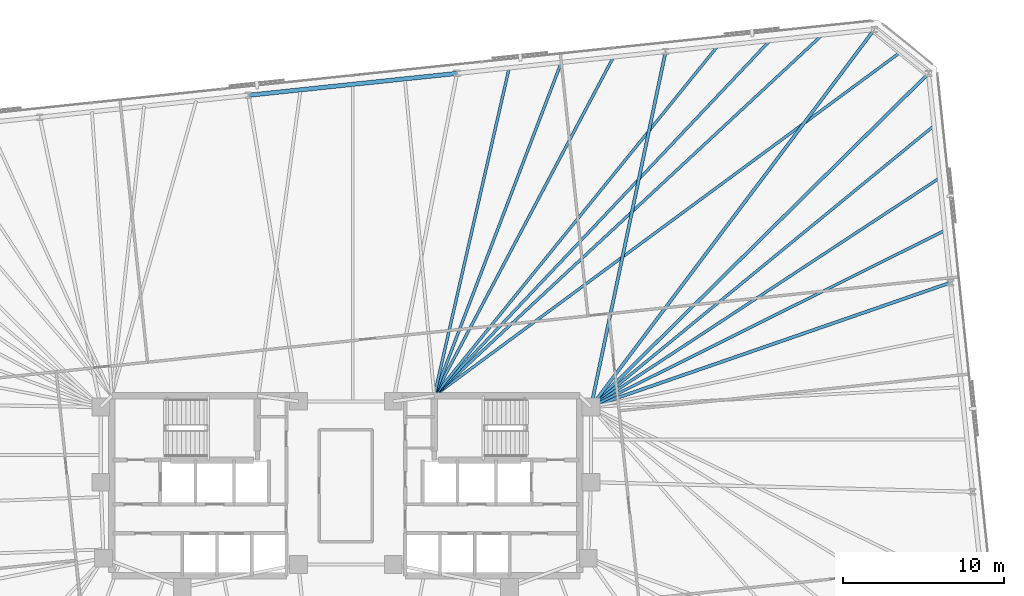
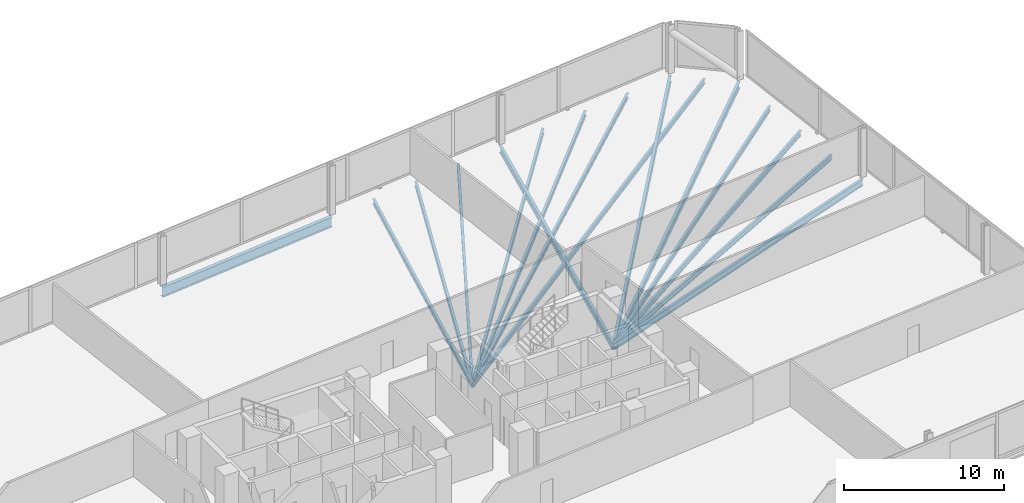
# One storey, part 10 of 18: 15 beams.
"""IFC4 building model written with IfcOpenShell, lengths in metres."""

from ifc_helpers import new_model, si_unit, direction, frame, origin, origin_2d, place, context, subcontext, project, spatial, i_section, extrude, material, material_profile, profile_set, type_object, element, save


model = new_model("IFC4")

# Units and contexts
model_context = context("Model", 3, precision=1e-05, world=origin(), true_north=direction((0.0, 1.0)))
body_context = subcontext(model_context, "Body", "Model", "MODEL_VIEW")
ifc_project = project(units=[si_unit("LENGTHUNIT", "METRE"), si_unit("AREAUNIT", "SQUARE_METRE"), si_unit("VOLUMEUNIT", "CUBIC_METRE"), si_unit("PLANEANGLEUNIT", "RADIAN"), si_unit("MASSUNIT", "GRAM", prefix="KILO")], contexts=[model_context])

# Site, building, storey
site_placement = place(None, origin())
site = spatial("IfcSite", under=ifc_project, at=site_placement, CompositionType="ELEMENT")
building_placement = place(site_placement, origin())
building = spatial("IfcBuilding", under=site, at=building_placement, Name="Menara Jurai Vektor", CompositionType="ELEMENT")
storey_placement = place(building_placement, frame((0.0, 0.0, 91.10009765625)))
storey = spatial("IfcBuildingStorey", under=building, at=storey_placement, Name="L22", CompositionType="ELEMENT", Elevation=91.10009765625)

# Beams
ifc_material_1 = material(Name="Steel S355", Category="steel")
ifc_material_profile_1 = material_profile(ifc_material_1, i_section(OverallWidth=0.199951171875, OverallDepth=0.5, WebThickness=0.011962890625, FlangeThickness=0.02001953125, at=origin_2d()), Name="PG 500x200x96")
ifc_profile_set_1 = profile_set([ifc_material_profile_1], Name="Steel S355")
beam_type_1 = type_object("IfcBeamType", Name="STR-BM-500", PredefinedType="BEAM", material=ifc_profile_set_1)
beam_1_placement = place(storey_placement, frame((37.62060546875, 12.638427734375, -0.47509765625), z_axis=(-0.945053249867, -0.326916434148, 0.0), x_axis=(0.326916434148, -0.945053249867, 0.0)))
element("IfcBeam", 1, at=beam_1_placement, inside=storey, type_object=beam_type_1, Name="Radial Floor Girder L22-E3", PredefinedType="BEAM", context=body_context, shape_type="SweptSolid", body=[
    extrude(i_section(OverallWidth=0.199951171875, OverallDepth=0.5, WebThickness=0.011962890625, FlangeThickness=0.02001953125, at=origin_2d()), origin(), (0.0, 0.0, 1.0), 23.671142578125),
])
beam_2_placement = place(storey_placement, frame((36.252685546875, 25.652099609375, -0.47509765625), z_axis=(-0.711335927547, -0.702852188004, 0.0), x_axis=(0.702852188004, -0.711335927547, 0.0)))
element("IfcBeam", 2, at=beam_2_placement, inside=storey, type_object=beam_type_1, Name="Radial Floor Girder L22-E4", PredefinedType="BEAM", context=body_context, shape_type="SweptSolid", body=[
    extrude(i_section(OverallWidth=0.199951171875, OverallDepth=0.5, WebThickness=0.011962890625, FlangeThickness=0.02001953125, at=origin_2d()), origin(), (0.0, 0.0, 1.0), 29.525634765625),
])
beam_3_placement = place(storey_placement, frame((32.876220703125, 28.38623046875, -0.47509765625), z_axis=(-0.600250057552, -0.799812395758, 0.0), x_axis=(0.799812395758, -0.600250057552, 0.0)))
element("IfcBeam", 3, at=beam_3_placement, inside=storey, type_object=beam_type_1, Name="Radial Floor Girder L22-N1", PredefinedType="BEAM", context=body_context, shape_type="SweptSolid", body=[
    extrude(i_section(OverallWidth=0.199951171875, OverallDepth=0.5, WebThickness=0.011962890625, FlangeThickness=0.02001953125, at=origin_2d()), origin(), (0.0, 0.0, 1.0), 29.36474609375),
])
beam_4_placement = place(storey_placement, frame((19.896728515625, 27.02197265625, -0.47509765625), z_axis=(-0.205563576063, -0.978643763683, 0.0), x_axis=(0.978643763683, -0.205563576063, 0.0)))
element("IfcBeam", 4, at=beam_4_placement, inside=storey, type_object=beam_type_1, Name="Radial Floor Girder L22-N2", PredefinedType="BEAM", context=body_context, shape_type="SweptSolid", body=[
    extrude(i_section(OverallWidth=0.199951171875, OverallDepth=0.5, WebThickness=0.011962890625, FlangeThickness=0.02001953125, at=origin_2d()), origin(), (0.0, 0.0, 1.0), 22.604736328125),
])
ifc_material_profile_2 = material_profile(ifc_material_1, i_section(OverallWidth=0.175048828125, OverallDepth=0.3798828125, WebThickness=0.010009765625, FlangeThickness=0.014892578125, at=origin_2d()), Name="PG 380x175x58")
ifc_profile_set_2 = profile_set([ifc_material_profile_2], Name="Steel S355")
beam_type_2 = type_object("IfcBeamType", Name="STR-JS-380", PredefinedType="JOIST", material=ifc_profile_set_2)
beam_5_placement = place(storey_placement, frame((37.278564453125, 15.891845703125, -0.4150390625), z_axis=(-0.894789854106, -0.446487532849, 0.0), x_axis=(0.446487532849, -0.894789854106, 0.0)))
element("IfcBeam", 5, at=beam_5_placement, inside=storey, type_object=beam_type_2, Name="Radial Secondary Floor Joist L22-JS16", PredefinedType="JOIST", context=body_context, shape_type="SweptSolid", body=[
    extrude(i_section(OverallWidth=0.175048828125, OverallDepth=0.3798828125, WebThickness=0.010009765625, FlangeThickness=0.014892578125, at=origin_2d()), origin(), (0.0, 0.0, 1.0), 24.61865234375),
])
beam_6_placement = place(storey_placement, frame((36.936767578125, 19.145263671875, -0.4150390625), z_axis=(-0.835810585743, -0.549017909326, 0.0), x_axis=(0.549017909326, -0.835810585743, 0.0)))
element("IfcBeam", 6, at=beam_6_placement, inside=storey, type_object=beam_type_2, Name="Radial Secondary Floor Joist L22-JS17", PredefinedType="JOIST", context=body_context, shape_type="SweptSolid", body=[
    extrude(i_section(OverallWidth=0.175048828125, OverallDepth=0.3798828125, WebThickness=0.010009765625, FlangeThickness=0.014892578125, at=origin_2d()), origin(), (0.0, 0.0, 1.0), 25.947021484375),
])
beam_7_placement = place(storey_placement, frame((36.5947265625, 22.398681640625, -0.4150390625), z_axis=(-0.773337004811, -0.63399517111, 0.0), x_axis=(0.63399517111, -0.773337004811, 0.0)))
element("IfcBeam", 7, at=beam_7_placement, inside=storey, type_object=beam_type_2, Name="Radial Secondary Floor Joist L22-JS18", PredefinedType="JOIST", context=body_context, shape_type="SweptSolid", body=[
    extrude(i_section(OverallWidth=0.175048828125, OverallDepth=0.3798828125, WebThickness=0.010009765625, FlangeThickness=0.014892578125, at=origin_2d()), origin(), (0.0, 0.0, 1.0), 27.600830078125),
])
beam_8_placement = place(storey_placement, frame((34.564453125, 27.01904296875, -0.4150390625), z_axis=(-0.805015724179, -0.593253473504, 0.0), x_axis=(0.593253473504, -0.805015724179, 0.0)))
element("IfcBeam", 8, at=beam_8_placement, inside=storey, type_object=beam_type_2, Name="Radial Secondary Floor Joist L22-JS19", PredefinedType="JOIST", context=body_context, shape_type="SweptSolid", body=[
    extrude(i_section(OverallWidth=0.175048828125, OverallDepth=0.3798828125, WebThickness=0.010009765625, FlangeThickness=0.014892578125, at=origin_2d()), origin(), (0.0, 0.0, 1.0), 36.104248046875),
])
beam_9_placement = place(storey_placement, frame((29.63134765625, 28.045166015625, -0.4150390625), z_axis=(-0.732227546694, -0.681060070671, 0.0), x_axis=(0.681060070671, -0.732227546694, 0.0)))
element("IfcBeam", 9, at=beam_9_placement, inside=storey, type_object=beam_type_2, Name="Radial Secondary Floor Joist L22-JS20", PredefinedType="JOIST", context=body_context, shape_type="SweptSolid", body=[
    extrude(i_section(OverallWidth=0.175048828125, OverallDepth=0.3798828125, WebThickness=0.010009765625, FlangeThickness=0.014892578125, at=origin_2d()), origin(), (0.0, 0.0, 1.0), 32.9560546875),
])
beam_10_placement = place(storey_placement, frame((26.386474609375, 27.7041015625, -0.4150390625), z_axis=(-0.686805497462, -0.726841254096, 0.0), x_axis=(0.726841254096, -0.686805497462, 0.0)))
element("IfcBeam", 10, at=beam_10_placement, inside=storey, type_object=beam_type_2, Name="Radial Secondary Floor Joist L22-JS21", PredefinedType="JOIST", context=body_context, shape_type="SweptSolid", body=[
    extrude(i_section(OverallWidth=0.175048828125, OverallDepth=0.3798828125, WebThickness=0.010009765625, FlangeThickness=0.014892578125, at=origin_2d()), origin(), (0.0, 0.0, 1.0), 30.4111328125),
])
beam_11_placement = place(storey_placement, frame((23.1416015625, 27.363037109375, -0.4150390625), z_axis=(-0.629715269624, -0.776826028917, 0.0), x_axis=(0.776826028917, -0.629715269624, 0.0)))
element("IfcBeam", 11, at=beam_11_placement, inside=storey, type_object=beam_type_2, Name="Radial Secondary Floor Joist L22-JS22", PredefinedType="JOIST", context=body_context, shape_type="SweptSolid", body=[
    extrude(i_section(OverallWidth=0.175048828125, OverallDepth=0.3798828125, WebThickness=0.010009765625, FlangeThickness=0.014892578125, at=origin_2d()), origin(), (0.0, 0.0, 1.0), 28.01513671875),
])
beam_12_placement = place(storey_placement, frame((16.651611328125, 26.680908203125, -0.4150390625), z_axis=(-0.467598899237, -0.883940761268, 0.0), x_axis=(0.883940761268, -0.467598899237, 0.0)))
element("IfcBeam", 12, at=beam_12_placement, inside=storey, type_object=beam_type_2, Name="Radial Secondary Floor Joist L22-JS23", PredefinedType="JOIST", context=body_context, shape_type="SweptSolid", body=[
    extrude(i_section(OverallWidth=0.175048828125, OverallDepth=0.3798828125, WebThickness=0.010009765625, FlangeThickness=0.014892578125, at=origin_2d()), origin(), (0.0, 0.0, 1.0), 23.8486328125),
])
beam_13_placement = place(storey_placement, frame((13.40673828125, 26.33984375, -0.4150390625), z_axis=(-0.3562267616, -0.934399536772, 0.0), x_axis=(0.934399536772, -0.3562267616, 0.0)))
element("IfcBeam", 13, at=beam_13_placement, inside=storey, type_object=beam_type_2, Name="Radial Secondary Floor Joist L22-JS24", PredefinedType="JOIST", context=body_context, shape_type="SweptSolid", body=[
    extrude(i_section(OverallWidth=0.175048828125, OverallDepth=0.3798828125, WebThickness=0.010009765625, FlangeThickness=0.014892578125, at=origin_2d()), origin(), (0.0, 0.0, 1.0), 22.19580078125),
])
beam_14_placement = place(storey_placement, frame((10.161865234375, 25.998779296875, -0.4150390625), z_axis=(-0.222793437271, -0.974865675008, 0.0), x_axis=(0.974865675008, -0.222793437271, 0.0)))
element("IfcBeam", 14, at=beam_14_placement, inside=storey, type_object=beam_type_2, Name="Radial Secondary Floor Joist L22-JS25", PredefinedType="JOIST", context=body_context, shape_type="SweptSolid", body=[
    extrude(i_section(OverallWidth=0.175048828125, OverallDepth=0.3798828125, WebThickness=0.010009765625, FlangeThickness=0.014892578125, at=origin_2d()), origin(), (0.0, 0.0, 1.0), 20.924560546875),
])
ifc_material_2 = material(Name="Steel S460", Category="steel")
ifc_material_profile_3 = material_profile(ifc_material_2, i_section(OverallWidth=0.26806640625, OverallDepth=0.77001953125, WebThickness=0.01611328125, FlangeThickness=0.02490234375, FilletRadius=0.01708984375, at=origin_2d()), Name="UKB 762x267x197")
ifc_profile_set_3 = profile_set([ifc_material_profile_3], Name="Steel S460")
beam_type_3 = type_object("IfcBeamType", Name="STR-SP-762", PredefinedType="SPANDREL", material=ifc_profile_set_3)
beam_15_placement = place(storey_placement, frame((6.9169921875, 25.65771484375, -0.610107421875), z_axis=(-0.994521431679, -0.104532874882, 0.0), x_axis=(0.104532874882, -0.994521431679, 0.0)))
element("IfcBeam", 15, at=beam_15_placement, inside=storey, type_object=beam_type_3, Name="Exoskeleton Spandrel Beam L22-13", PredefinedType="SPANDREL", context=body_context, shape_type="SweptSolid", body=[
    extrude(i_section(OverallWidth=0.26806640625, OverallDepth=0.77001953125, WebThickness=0.01611328125, FlangeThickness=0.02490234375, FilletRadius=0.01708984375, at=origin_2d()), origin(), (0.0, 0.0, 1.0), 13.051025390625),
])

save(model, "model.ifc")
